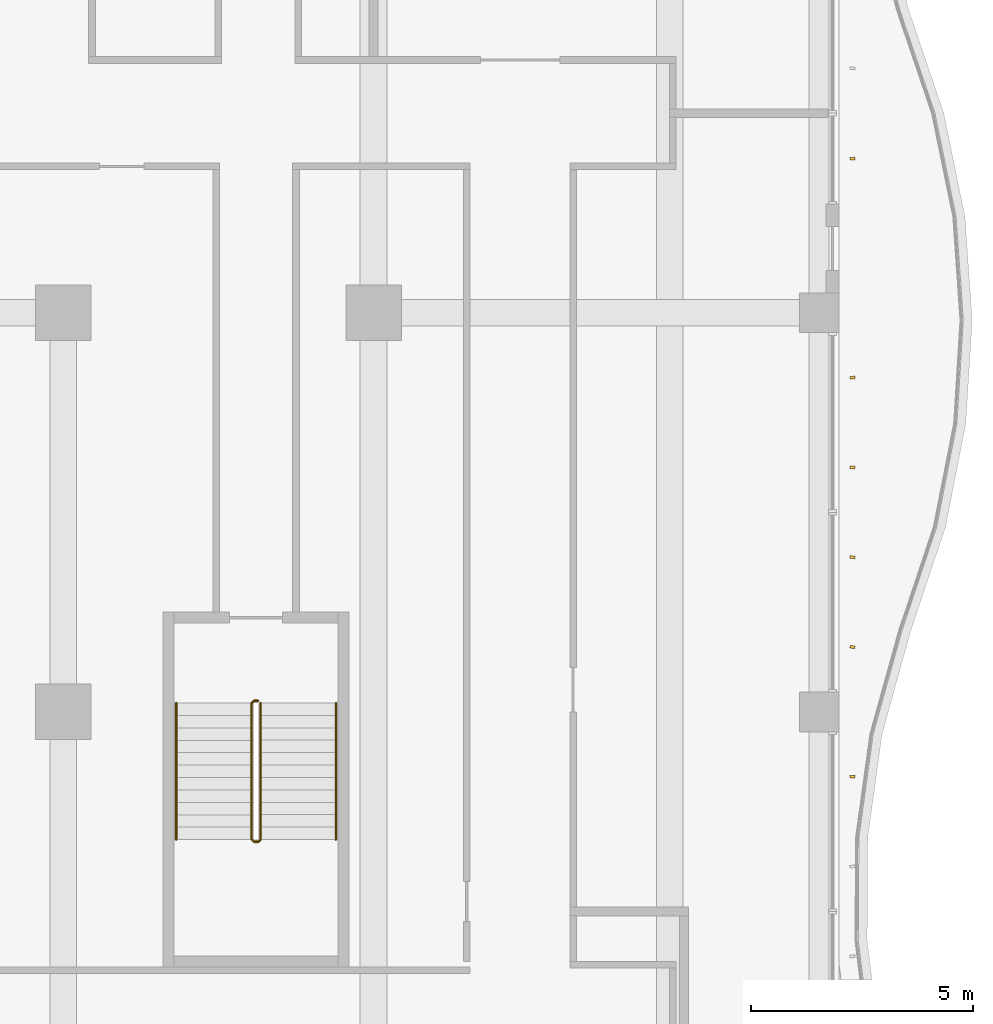
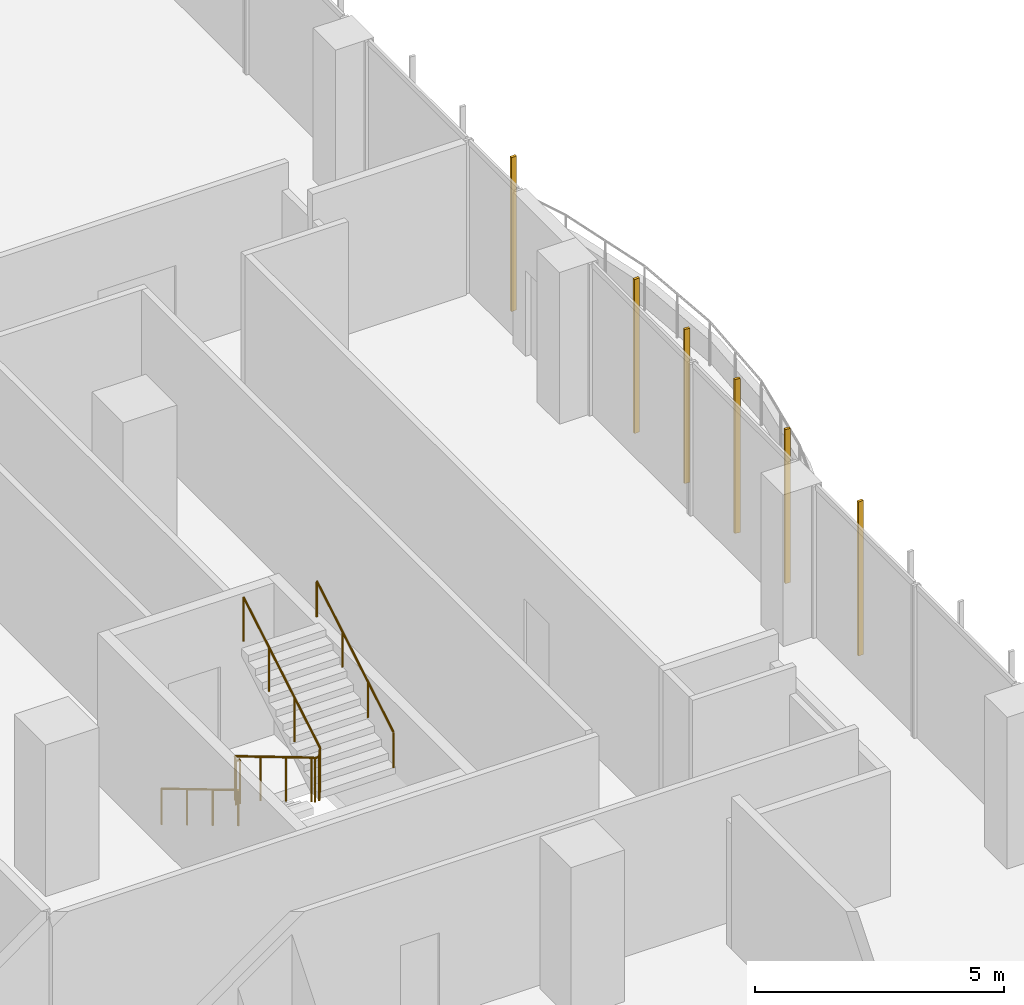
# One storey, part 24 of 26: 6 shading devices, 3 railings.
"""IFC4 building model written with IfcOpenShell, lengths in metres."""

from ifc_helpers import new_model, si_unit, direction, frame, origin, origin_2d, place, context, subcontext, project, spatial, rectangle, circle, extrude, source, transform, mapped, material, material_profile, profile_set, type_object, element, save


model = new_model("IFC4")

# Units and contexts
model_context = context("Model", 3, precision=1e-05, world=origin(), true_north=direction((0.0, 1.0)))
body_context = subcontext(model_context, "Body", "Model", "MODEL_VIEW")
ifc_project = project(units=[si_unit("LENGTHUNIT", "METRE"), si_unit("AREAUNIT", "SQUARE_METRE"), si_unit("VOLUMEUNIT", "CUBIC_METRE"), si_unit("PLANEANGLEUNIT", "RADIAN"), si_unit("MASSUNIT", "GRAM", prefix="KILO")], contexts=[model_context])

# Site, building, storey
site_placement = place(None, origin())
site = spatial("IfcSite", under=ifc_project, at=site_placement, CompositionType="ELEMENT")
building_placement = place(site_placement, origin())
building = spatial("IfcBuilding", under=site, at=building_placement, Name="Kilnfold Tower and Market Hall", CompositionType="ELEMENT")
storey_placement = place(building_placement, frame((0.0, 0.0, 83.199951171875)))
storey = spatial("IfcBuildingStorey", under=building, at=storey_placement, Name="L19", CompositionType="ELEMENT", Elevation=83.199951171875)

# Railings
ifc_material_1 = material(Name="Stainless steel 316", Category="steel")
railing_type_1 = type_object("IfcRailingType", Name="CORE STAIR GUARD 1100", PredefinedType="GUARDRAIL", material=ifc_material_1)
railing_1_placement = place(storey_placement, frame((19.89990234375, -9.75, 0.0)))
element("IfcRailing", 1, at=railing_1_placement, inside=storey, type_object=railing_type_1, Name="L19 ST4 stair guard 1", PredefinedType="GUARDRAIL", context=body_context, shape_type="SweptSolid", body=[
    extrude(circle(Radius=0.02392578125, at=origin_2d()), frame((0.0, 0.0, 1.076171875), z_axis=(-1.0, 0.0, 0.0), x_axis=(0.0, -1.0, 0.0)), (0.0, 0.0, 1.0), 0.099853515625),
    extrude(circle(Radius=0.02392578125, at=origin_2d()), frame((-0.099853515625, 0.0, 1.076171875), z_axis=(-0.27628659633, -0.27628659633, 0.920506074601), x_axis=(0.707106781187, -0.707106781187, 0.0)), (0.0, 0.0, 1.0), 0.18115234375),
    extrude(circle(Radius=0.02392578125, at=origin_2d()), frame((-0.14990234375, -0.050048828125, 1.24267578125), z_axis=(0.0, -0.859290745958, 0.51148745235), x_axis=(1.0, 0.0, 0.0)), (0.0, 0.0, 1.0), 3.584228515625),
    extrude(circle(Radius=0.02392578125, at=origin_2d()), frame((-0.14990234375, -3.1298828125, 3.076171875), z_axis=(0.707106781187, -0.707106781187, 0.0), x_axis=(0.707106781187, 0.707106781187, 0.0)), (0.0, 0.0, 1.0), 0.07080078125),
    extrude(circle(Radius=0.02392578125, at=origin_2d()), frame((-0.099853515625, -3.179931640625, 3.076171875), z_axis=(1.0, 0.0, 0.0), x_axis=(0.0, 1.0, 0.0)), (0.0, 0.0, 1.0), 0.099853515625),
    extrude(circle(Radius=0.02392578125, at=origin_2d()), frame((0.0, -3.179931640625, 3.076171875), z_axis=(0.27628659633, 0.27628659633, 0.920506074601), x_axis=(-0.707106781187, 0.707106781187, 0.0)), (0.0, 0.0, 1.0), 0.18115234375),
    extrude(circle(Radius=0.02392578125, at=origin_2d()), frame((0.050048828125, -3.1298828125, 3.24267578125), z_axis=(0.0, 0.859290745958, 0.51148745235), x_axis=(-1.0, 0.0, 0.0)), (0.0, 0.0, 1.0), 3.584228515625),
    extrude(circle(Radius=0.02099609375, at=origin_2d()), origin(), (0.0, 0.0, 1.0), 1.052001953125),
    extrude(circle(Radius=0.02099609375, at=origin_2d()), frame((-0.099853515625, 0.0, 0.0)), (0.0, 0.0, 1.0), 1.052001953125),
    extrude(circle(Radius=0.02099609375, at=origin_2d()), frame((-0.14990234375, -0.050048828125, 0.166748046875)), (0.0, 0.0, 1.0), 1.052001953125),
    extrude(circle(Radius=0.02099609375, at=origin_2d()), frame((-0.14990234375, -1.07666015625, 0.77783203125)), (0.0, 0.0, 1.0), 1.052001953125),
    extrude(circle(Radius=0.02099609375, at=origin_2d()), frame((-0.14990234375, -2.103271484375, 1.388916015625)), (0.0, 0.0, 1.0), 1.052001953125),
    extrude(circle(Radius=0.02099609375, at=origin_2d()), frame((-0.14990234375, -3.1298828125, 2.0)), (0.0, 0.0, 1.0), 1.052001953125),
    extrude(circle(Radius=0.02099609375, at=origin_2d()), frame((-0.099853515625, -3.179931640625, 2.0)), (0.0, 0.0, 1.0), 1.052001953125),
    extrude(circle(Radius=0.02099609375, at=origin_2d()), frame((0.0, -3.179931640625, 2.0)), (0.0, 0.0, 1.0), 1.052001953125),
    extrude(circle(Radius=0.02099609375, at=origin_2d()), frame((0.050048828125, -3.1298828125, 2.166748046875)), (0.0, 0.0, 1.0), 1.052001953125),
    extrude(circle(Radius=0.02099609375, at=origin_2d()), frame((0.050048828125, -2.103271484375, 2.77783203125)), (0.0, 0.0, 1.0), 1.052001953125),
    extrude(circle(Radius=0.02099609375, at=origin_2d()), frame((0.050048828125, -1.07666015625, 3.388916015625)), (0.0, 0.0, 1.0), 1.052001953125),
    extrude(circle(Radius=0.02099609375, at=origin_2d()), frame((0.050048828125, -0.050048828125, 4.0)), (0.0, 0.0, 1.0), 1.052001953125),
])
ifc_material_2 = material(Name="Stainless steel 316", Category="steel")
railing_type_2 = type_object("IfcRailingType", Name="CORE STAIR HANDRAIL 900", PredefinedType="HANDRAIL", material=ifc_material_2)
railing_2_placement = place(storey_placement, frame((18.050048828125, -9.800048828125, 0.166748046875)))
element("IfcRailing", 2, at=railing_2_placement, inside=storey, type_object=railing_type_2, Name="L19 ST4 stair handrail 1", PredefinedType="HANDRAIL", context=body_context, shape_type="SweptSolid", body=[
    extrude(circle(Radius=0.02392578125, at=origin_2d()), frame((0.0, 0.0, 0.8759765625), z_axis=(0.0, -0.859290745958, 0.51148745235), x_axis=(1.0, 0.0, 0.0)), (0.0, 0.0, 1.0), 3.584228515625),
    extrude(circle(Radius=0.02099609375, at=origin_2d()), origin(), (0.0, 0.0, 1.0), 0.851806640625),
    extrude(circle(Radius=0.02099609375, at=origin_2d()), frame((0.0, -1.026611328125, 0.611083984375)), (0.0, 0.0, 1.0), 0.851806640625),
    extrude(circle(Radius=0.02099609375, at=origin_2d()), frame((0.0, -2.05322265625, 1.22216796875)), (0.0, 0.0, 1.0), 0.851806640625),
    extrude(circle(Radius=0.02099609375, at=origin_2d()), frame((0.0, -3.079833984375, 1.833251953125)), (0.0, 0.0, 1.0), 0.851806640625),
])
railing_3_placement = place(storey_placement, frame((21.64990234375, -12.8798828125, 2.166748046875)))
element("IfcRailing", 3, at=railing_3_placement, inside=storey, type_object=railing_type_2, Name="L19 ST4 stair handrail 2", PredefinedType="HANDRAIL", context=body_context, shape_type="SweptSolid", body=[
    extrude(circle(Radius=0.02392578125, at=origin_2d()), frame((0.0, 0.0, 0.8759765625), z_axis=(0.0, 0.859290745958, 0.51148745235), x_axis=(-1.0, 0.0, 0.0)), (0.0, 0.0, 1.0), 3.584228515625),
    extrude(circle(Radius=0.02099609375, at=origin_2d()), origin(), (0.0, 0.0, 1.0), 0.851806640625),
    extrude(circle(Radius=0.02099609375, at=origin_2d()), frame((0.0, 1.026611328125, 0.611083984375)), (0.0, 0.0, 1.0), 0.851806640625),
    extrude(circle(Radius=0.02099609375, at=origin_2d()), frame((0.0, 2.05322265625, 1.22216796875)), (0.0, 0.0, 1.0), 0.851806640625),
    extrude(circle(Radius=0.02099609375, at=origin_2d()), frame((0.0, 3.079833984375, 1.833251953125)), (0.0, 0.0, 1.0), 0.851806640625),
])

# Shading devices
ifc_material_3 = material(Name="Terracotta", Category="masonry")
ifc_material_profile = material_profile(ifc_material_3, rectangle(XDim=0.06005859375, YDim=0.1201171875, at=origin_2d()), Name="BAG 60x120")
ifc_profile_set = profile_set([ifc_material_profile], Name="Terracotta")
shading_device_type = type_object("IfcShadingDeviceType", Name="BAGUETTE", PredefinedType="USERDEFINED", material=ifc_profile_set)
shared_shape = source(origin(), body_context, "Body", "SweptSolid", [
    extrude(rectangle(XDim=0.06005859375, YDim=0.1201171875, at=origin_2d()), origin(), (0.0, 0.0, 1.0), 3.780029296875),
])
for number, where, z_axis, x_axis, name in (
    (4, (33.300048828125, -11.46240234375, 0.0), (0.0, 0.0, 1.0), (-0.068892873166, 0.997624063476, 0.0), "Terracotta baguette L19 E"),
    (5, (33.300048828125, -8.53759765625, 0.0), (0.0, 0.0, 1.0), (0.099634087409, 0.995024144745, 0.0), "Terracotta baguette L19 E"),
    (6, (33.300048828125, -6.512451171875, 0.0), (0.0, 0.0, 1.0), (0.137928583845, 0.990442176888, 0.0), "Terracotta baguette L19 E"),
    (7, (33.300048828125, -4.487548828125, 0.0), (0.0, 0.0, 1.0), (0.070247449192, 0.997529596494, 0.0), "Terracotta baguette L19 E"),
    (8, (33.300048828125, -2.46240234375, 0.0), (0.0, 0.0, 1.0), (-0.051914160751, 0.998651550799, 0.0), "Terracotta baguette L19 E"),
    (9, (33.300048828125, 2.47509765625, 0.0), (0.0, 0.0, 1.0), (-0.072263402708, 0.997385582726, 0.0), "Terracotta baguette L19 E"),
):
    element("IfcShadingDevice", number, at=place(storey_placement, frame(where, z_axis=z_axis, x_axis=x_axis)), inside=storey, type_object=shading_device_type, Name=name, ObjectType="BAGUETTE", PredefinedType="USERDEFINED", context=body_context, shape_type="MappedRepresentation", body=[
        mapped(shared_shape, transform((0.0, 0.0, 0.0))),
    ])

save(model, "model.ifc")
